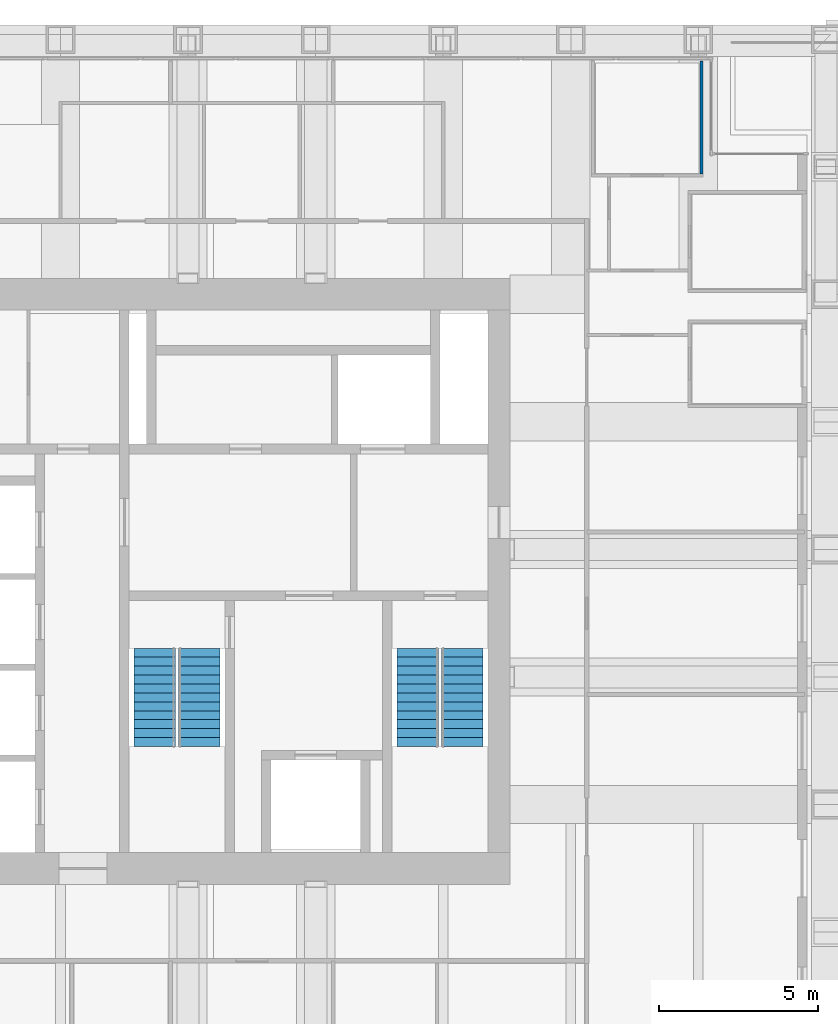
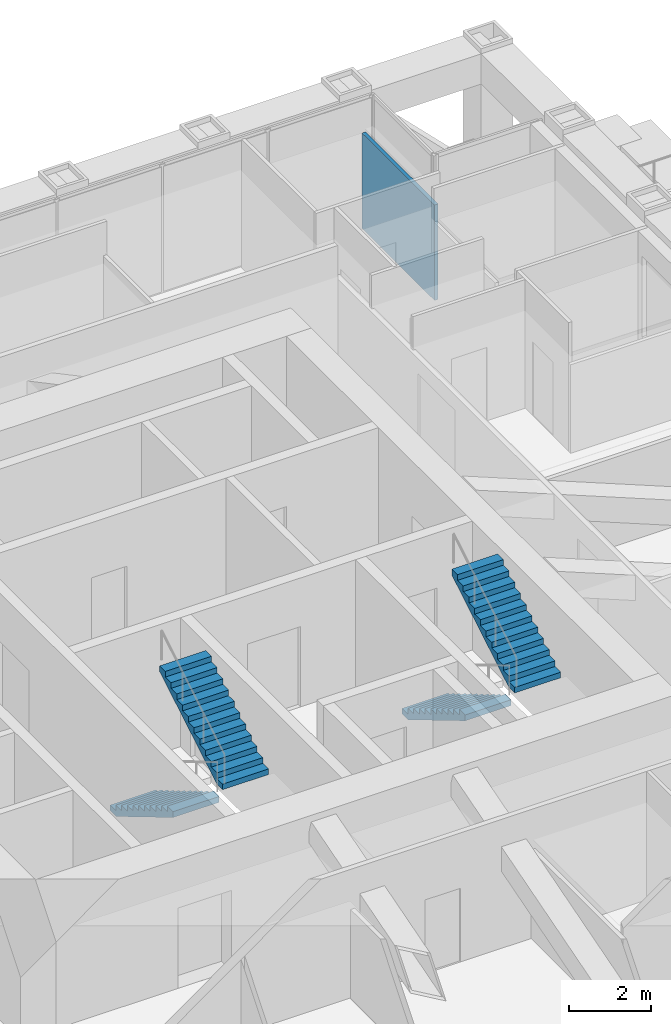
# One storey, part 12 of 14: 4 stair flights, 1 wall, 2 elements without a shape of their own.
"""IFC4 building model written with IfcOpenShell, lengths in metres."""

from ifc_helpers import new_model, si_unit, direction, frame, frame_2d, origin, place, context, subcontext, project, spatial, polyline, rectangle, outline, extrude, material, layer, layer_set, type_object, element, aggregate, save


model = new_model("IFC4")

# Units and contexts
model_context = context("Model", 3, precision=1e-05, world=origin(), true_north=direction((0.0, 1.0)))
body_context = subcontext(model_context, "Body", "Model", "MODEL_VIEW")
ifc_project = project(units=[si_unit("LENGTHUNIT", "METRE"), si_unit("AREAUNIT", "SQUARE_METRE"), si_unit("VOLUMEUNIT", "CUBIC_METRE"), si_unit("PLANEANGLEUNIT", "RADIAN"), si_unit("MASSUNIT", "GRAM", prefix="KILO")], contexts=[model_context])

# Site, building, storey
site_placement = place(None, origin())
site = spatial("IfcSite", under=ifc_project, at=site_placement, CompositionType="ELEMENT")
building_placement = place(site_placement, origin())
building = spatial("IfcBuilding", under=site, at=building_placement, Name="Rimbunsela Tower", CompositionType="ELEMENT")
storey_placement = place(building_placement, frame((0.0, 0.0, 270.199951171875)))
storey = spatial("IfcBuildingStorey", under=building, at=storey_placement, Name="L65", CompositionType="ELEMENT", Elevation=270.199951171875)

# Wall
ifc_material_1 = material(Name="Gypsum board on steel studs", Category="steel")
ifc_layer = layer(ifc_material_1, 0.10009765625)
ifc_layer_set = layer_set([ifc_layer], Name="Office partition 100")
wall_type = type_object("IfcWallType", Name="Office partition 100", PredefinedType="PARTITIONING", material=ifc_layer_set)
wall_placement = place(storey_placement, frame((42.10009765625, 39.77001953125, 0.0), z_axis=(0.0, 0.0, 1.0), x_axis=(0.0, 1.0, 0.0)))
element("IfcWall", 1, at=wall_placement, inside=storey, type_object=wall_type, Name="Office partition", PredefinedType="PARTITIONING", context=body_context, shape_type="SweptSolid", body=[
    extrude(rectangle(XDim=3.550048828125, YDim=0.10009765625, at=frame_2d((1.77490234375, 0.0))), origin(), (0.0, 0.0, 1.0), 2.85009765625),
])

# Stair, stair flights
ifc_material_2 = material(Name="Concrete fc' 35 MPa", Category="concrete")
stair_type = type_object("IfcStairType", Name="Exit stair 24 risers", PredefinedType="HALF_TURN_STAIR", material=ifc_material_2)
stair_1_placement = place(storey_placement, origin())
stair_1 = element("IfcStair", 2, at=stair_1_placement, inside=storey, type_object=stair_type, Name="Exit stair A L65", PredefinedType="HALF_TURN_STAIR")
ifc_material_3 = material(Name="Concrete fc' 35 MPa", Category="concrete")
stair_flight_type = type_object("IfcStairFlightType", Name="Stair flight 12 risers 167", PredefinedType="STRAIGHT", material=ifc_material_3)
stair_flight_1_placement = place(storey_placement, frame((24.949951171875, 24.89990234375, 0.0), z_axis=(0.0, 0.0, 1.0), x_axis=(0.0, -1.0, 0.0)))
stair_flight_1 = element("IfcStairFlight", 3, at=stair_flight_1_placement, type_object=stair_flight_type, Name="ST-A flight 1", NumberOfRisers=12, NumberOfTreads=11, PredefinedType="STRAIGHT", RiserHeight=0.166666667, TreadLength=0.28, context=body_context, shape_type="SweptSolid", body=[
    extrude(outline(polyline([(0.0, 0.0), (0.0, 0.166748046875), (0.280029296875, 0.166748046875), (0.280029296875, 0.333251953125), (0.56005859375, 0.333251953125), (0.56005859375, 0.5), (0.840087890625, 0.5), (0.840087890625, 0.666748046875), (1.1201171875, 0.666748046875), (1.1201171875, 0.833251953125), (1.39990234375, 0.833251953125), (1.39990234375, 1.0), (1.679931640625, 1.0), (1.679931640625, 1.166748046875), (1.9599609375, 1.166748046875), (1.9599609375, 1.333251953125), (2.239990234375, 1.333251953125), (2.239990234375, 1.5), (2.52001953125, 1.5), (2.52001953125, 1.666748046875), (2.800048828125, 1.666748046875), (2.800048828125, 1.833251953125), (3.080078125, 1.833251953125), (3.080078125, 2.0), (3.080078125, 1.658935546875), (0.29296875, 0.0), (0.0, 0.0)])), frame((0.0, 0.64990234375, 0.0), z_axis=(0.0, -1.0, 0.0), x_axis=(1.0, 0.0, 0.0)), (0.0, 0.0, 1.0), 1.300048828125),
])
stair_flight_2_placement = place(storey_placement, frame((26.35009765625, 21.820068359375, 2.0), z_axis=(0.0, 0.0, 1.0), x_axis=(0.0, 1.0, 0.0)))
stair_flight_2 = element("IfcStairFlight", 4, at=stair_flight_2_placement, type_object=stair_flight_type, Name="ST-A flight 2", NumberOfRisers=12, NumberOfTreads=11, PredefinedType="STRAIGHT", RiserHeight=0.166666667, TreadLength=0.28, context=body_context, shape_type="SweptSolid", body=[
    extrude(outline(polyline([(0.0, 0.0), (0.0, 0.166748046875), (0.280029296875, 0.166748046875), (0.280029296875, 0.333251953125), (0.56005859375, 0.333251953125), (0.56005859375, 0.5), (0.840087890625, 0.5), (0.840087890625, 0.666748046875), (1.1201171875, 0.666748046875), (1.1201171875, 0.833251953125), (1.39990234375, 0.833251953125), (1.39990234375, 1.0), (1.679931640625, 1.0), (1.679931640625, 1.166748046875), (1.9599609375, 1.166748046875), (1.9599609375, 1.333251953125), (2.239990234375, 1.333251953125), (2.239990234375, 1.5), (2.52001953125, 1.5), (2.52001953125, 1.666748046875), (2.800048828125, 1.666748046875), (2.800048828125, 1.833251953125), (3.080078125, 1.833251953125), (3.080078125, 2.0), (3.080078125, 1.658935546875), (0.29296875, 0.0), (0.0, 0.0)])), frame((0.0, 0.64990234375, 0.0), z_axis=(0.0, -1.0, 0.0), x_axis=(1.0, 0.0, 0.0)), (0.0, 0.0, 1.0), 1.300048828125),
])
aggregate(stair_1, [stair_flight_1, stair_flight_2])

stair_2_placement = place(storey_placement, origin())
stair_2 = element("IfcStair", 5, at=stair_2_placement, inside=storey, type_object=stair_type, Name="Exit stair B L65", PredefinedType="HALF_TURN_STAIR")
stair_flight_3_placement = place(storey_placement, frame((33.199951171875, 24.89990234375, 0.0), z_axis=(0.0, 0.0, 1.0), x_axis=(0.0, -1.0, 0.0)))
stair_flight_3 = element("IfcStairFlight", 6, at=stair_flight_3_placement, type_object=stair_flight_type, Name="ST-B flight 1", NumberOfRisers=12, NumberOfTreads=11, PredefinedType="STRAIGHT", RiserHeight=0.166666667, TreadLength=0.28, context=body_context, shape_type="SweptSolid", body=[
    extrude(outline(polyline([(0.0, 0.0), (0.0, 0.166748046875), (0.280029296875, 0.166748046875), (0.280029296875, 0.333251953125), (0.56005859375, 0.333251953125), (0.56005859375, 0.5), (0.840087890625, 0.5), (0.840087890625, 0.666748046875), (1.1201171875, 0.666748046875), (1.1201171875, 0.833251953125), (1.39990234375, 0.833251953125), (1.39990234375, 1.0), (1.679931640625, 1.0), (1.679931640625, 1.166748046875), (1.9599609375, 1.166748046875), (1.9599609375, 1.333251953125), (2.239990234375, 1.333251953125), (2.239990234375, 1.5), (2.52001953125, 1.5), (2.52001953125, 1.666748046875), (2.800048828125, 1.666748046875), (2.800048828125, 1.833251953125), (3.080078125, 1.833251953125), (3.080078125, 2.0), (3.080078125, 1.658935546875), (0.29296875, 0.0), (0.0, 0.0)])), frame((0.0, 0.64990234375, 0.0), z_axis=(0.0, -1.0, 0.0), x_axis=(1.0, 0.0, 0.0)), (0.0, 0.0, 1.0), 1.300048828125),
])
stair_flight_4_placement = place(storey_placement, frame((34.60009765625, 21.820068359375, 2.0), z_axis=(0.0, 0.0, 1.0), x_axis=(0.0, 1.0, 0.0)))
stair_flight_4 = element("IfcStairFlight", 7, at=stair_flight_4_placement, type_object=stair_flight_type, Name="ST-B flight 2", NumberOfRisers=12, NumberOfTreads=11, PredefinedType="STRAIGHT", RiserHeight=0.166666667, TreadLength=0.28, context=body_context, shape_type="SweptSolid", body=[
    extrude(outline(polyline([(0.0, 0.0), (0.0, 0.166748046875), (0.280029296875, 0.166748046875), (0.280029296875, 0.333251953125), (0.56005859375, 0.333251953125), (0.56005859375, 0.5), (0.840087890625, 0.5), (0.840087890625, 0.666748046875), (1.1201171875, 0.666748046875), (1.1201171875, 0.833251953125), (1.39990234375, 0.833251953125), (1.39990234375, 1.0), (1.679931640625, 1.0), (1.679931640625, 1.166748046875), (1.9599609375, 1.166748046875), (1.9599609375, 1.333251953125), (2.239990234375, 1.333251953125), (2.239990234375, 1.5), (2.52001953125, 1.5), (2.52001953125, 1.666748046875), (2.800048828125, 1.666748046875), (2.800048828125, 1.833251953125), (3.080078125, 1.833251953125), (3.080078125, 2.0), (3.080078125, 1.658935546875), (0.29296875, 0.0), (0.0, 0.0)])), frame((0.0, 0.64990234375, 0.0), z_axis=(0.0, -1.0, 0.0), x_axis=(1.0, 0.0, 0.0)), (0.0, 0.0, 1.0), 1.300048828125),
])
aggregate(stair_2, [stair_flight_3, stair_flight_4])

save(model, "model.ifc")
